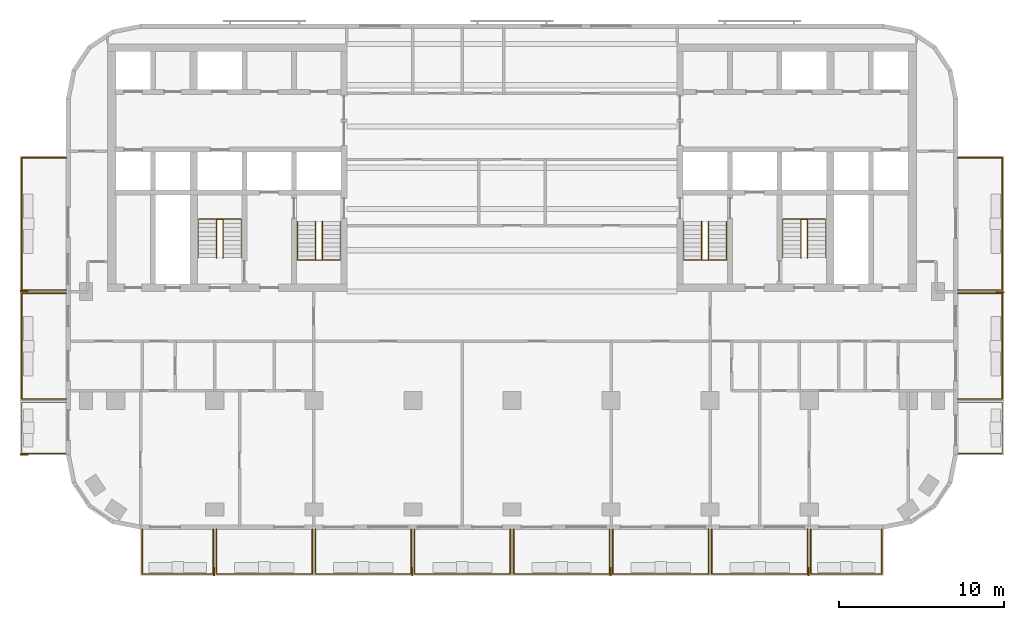
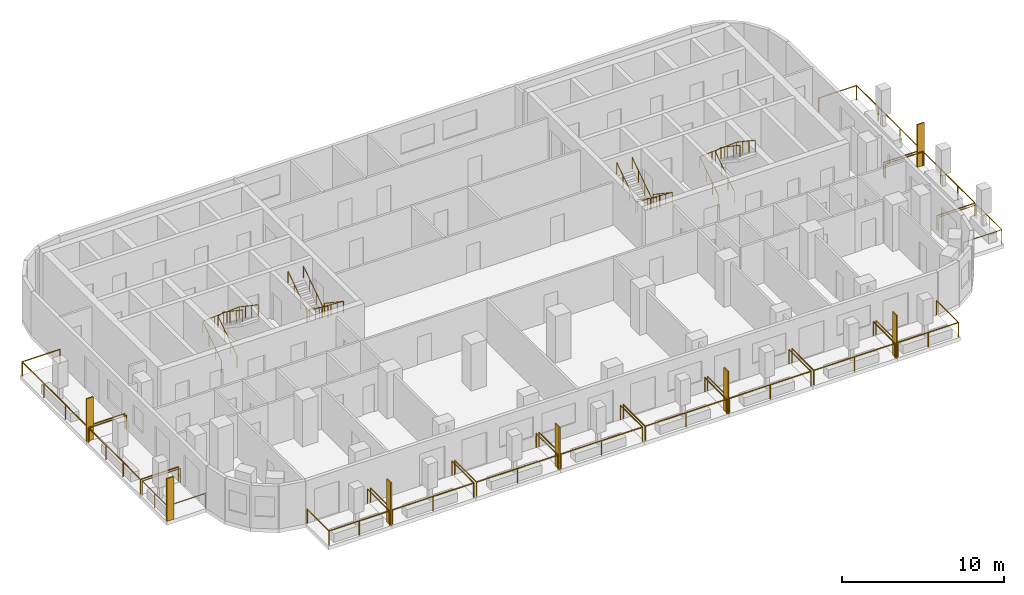
# One storey, part 9 of 11: 22 railings, 7 shading devices.
"""IFC4 building model written with IfcOpenShell, lengths in metres."""

from ifc_helpers import new_model, si_unit, direction, frame, origin, origin_2d, place, context, subcontext, project, spatial, rectangle, circle, extrude, material, layer, layer_set, type_object, element, save


model = new_model("IFC4")

# Units and contexts
model_context = context("Model", 3, precision=1e-05, world=origin(), true_north=direction((0.0, 1.0)))
body_context = subcontext(model_context, "Body", "Model", "MODEL_VIEW")
ifc_project = project(units=[si_unit("LENGTHUNIT", "METRE"), si_unit("AREAUNIT", "SQUARE_METRE"), si_unit("VOLUMEUNIT", "CUBIC_METRE"), si_unit("PLANEANGLEUNIT", "RADIAN"), si_unit("MASSUNIT", "GRAM", prefix="KILO")], contexts=[model_context])

# Site, building, storey
site_placement = place(None, origin())
site = spatial("IfcSite", under=ifc_project, at=site_placement, CompositionType="ELEMENT")
building_placement = place(site_placement, origin())
building = spatial("IfcBuilding", under=site, at=building_placement, Name="Torana Hotel and Residences", CompositionType="ELEMENT")
storey_placement = place(building_placement, frame((0.0, 0.0, 232.60009765625)))
storey = spatial("IfcBuildingStorey", under=building, at=storey_placement, Name="L61", CompositionType="ELEMENT", Elevation=232.60009765625)

# Shading devices
ifc_material_1 = material(Name="Black powder coated aluminium", Category="aluminium")
ifc_layer = layer(ifc_material_1, 0.080078125)
ifc_layer_set = layer_set([ifc_layer], Name="FN1 VERTICAL FIN 500x80")
shading_device_type = type_object("IfcShadingDeviceType", Name="FN1 VERTICAL FIN 500x80", PredefinedType="USERDEFINED", material=ifc_layer_set)
for number, where, z_axis, x_axis, name in (
    (1, (-18.0400390625, -31.949951171875, 0.0), (0.0, 0.0, 1.0), (-1.0, 0.0, 0.0), "Fin 01"),
    (2, (-6.0400390625, -31.949951171875, 0.0), (0.0, 0.0, 1.0), (-1.0, 0.0, 0.0), "Fin 03"),
    (3, (5.9599609375, -31.949951171875, 0.0), (0.0, 0.0, 1.0), (-1.0, 0.0, 0.0), "Fin 05"),
    (4, (17.9599609375, -31.949951171875, 0.0), (0.0, 0.0, 1.0), (-1.0, 0.0, 0.0), "Fin 07"),
    (5, (-29.550048828125, -24.860107421875, 0.0), (0.0, 0.0, 1.0), (0.0, 1.0, 0.0), "Fin 09"),
    (6, (-29.550048828125, -14.9599609375, 0.0), (0.0, 0.0, 1.0), (0.0, 1.0, 0.0), "Fin 11"),
    (7, (29.550048828125, -15.0400390625, 0.0), (0.0, 0.0, 1.0), (0.0, -1.0, 0.0), "Fin 13"),
):
    element("IfcShadingDevice", number, at=place(storey_placement, frame(where, z_axis=z_axis, x_axis=x_axis)), inside=storey, type_object=shading_device_type, Name=name, ObjectType="FIN", PredefinedType="USERDEFINED", context=body_context, shape_type="SweptSolid", body=[
        extrude(rectangle(XDim=0.080078125, YDim=0.5, at=origin_2d()), origin(), (0.0, 0.0, 1.0), 3.219970703125),
    ])

# Railings
ifc_material_2 = material(Name="Laminated glass balustrade with black handrail", Category="glass")
railing_type_1 = type_object("IfcRailingType", Name="GR1 BALCONY GUARD 1100 GLASS", PredefinedType="GUARDRAIL", material=ifc_material_2)
railing_1_placement = place(storey_placement, frame((-18.10009765625, -29.39990234375, 0.0)))
element("IfcRailing", 8, at=railing_1_placement, inside=storey, type_object=railing_type_1, Name="Balcony guard 01", PredefinedType="GUARDRAIL", context=body_context, shape_type="SweptSolid", body=[
    extrude(circle(Radius=0.02392578125, at=origin_2d()), frame((0.0, 0.0, 1.076171875), z_axis=(0.0, -1.0, 0.0), x_axis=(1.0, 0.0, 0.0)), (0.0, 0.0, 1.0), 2.7001953125),
    extrude(circle(Radius=0.02392578125, at=origin_2d()), frame((0.0, -2.7001953125, 1.076171875), z_axis=(-1.0, 0.0, 0.0), x_axis=(0.0, -1.0, 0.0)), (0.0, 0.0, 1.0), 4.2998046875),
    extrude(circle(Radius=0.02392578125, at=origin_2d()), frame((-4.2998046875, -2.7001953125, 1.076171875), z_axis=(0.0, 1.0, 0.0), x_axis=(-1.0, 0.0, 0.0)), (0.0, 0.0, 1.0), 2.7001953125),
    extrude(circle(Radius=0.02099609375, at=origin_2d()), origin(), (0.0, 0.0, 1.0), 1.052001953125),
    extrude(circle(Radius=0.02099609375, at=origin_2d()), frame((0.0, -2.7001953125, 0.0)), (0.0, 0.0, 1.0), 1.052001953125),
    extrude(circle(Radius=0.02099609375, at=origin_2d()), frame((-2.14990234375, -2.7001953125, 0.0)), (0.0, 0.0, 1.0), 1.052001953125),
    extrude(circle(Radius=0.02099609375, at=origin_2d()), frame((-4.2998046875, -2.7001953125, 0.0)), (0.0, 0.0, 1.0), 1.052001953125),
    extrude(circle(Radius=0.02099609375, at=origin_2d()), frame((-4.2998046875, 0.0, 0.0)), (0.0, 0.0, 1.0), 1.052001953125),
])
for number, where, name in (
    (9, (-12.10009765625, -29.39990234375, 0.0), "Balcony guard 02"),
    (10, (-6.10009765625, -29.39990234375, 0.0), "Balcony guard 03"),
    (11, (-0.10009765625, -29.39990234375, 0.0), "Balcony guard 04"),
    (12, (5.89990234375, -29.39990234375, 0.0), "Balcony guard 05"),
    (13, (11.89990234375, -29.39990234375, 0.0), "Balcony guard 06"),
    (14, (17.89990234375, -29.39990234375, 0.0), "Balcony guard 07"),
):
    element("IfcRailing", number, at=place(storey_placement, frame(where)), inside=storey, type_object=railing_type_1, Name=name, PredefinedType="GUARDRAIL", context=body_context, shape_type="SweptSolid", body=[
        extrude(circle(Radius=0.02392578125, at=origin_2d()), frame((0.0, 0.0, 1.076171875), z_axis=(0.0, -1.0, 0.0), x_axis=(1.0, 0.0, 0.0)), (0.0, 0.0, 1.0), 2.7001953125),
        extrude(circle(Radius=0.02392578125, at=origin_2d()), frame((0.0, -2.7001953125, 1.076171875), z_axis=(-1.0, 0.0, 0.0), x_axis=(0.0, -1.0, 0.0)), (0.0, 0.0, 1.0), 5.7998046875),
        extrude(circle(Radius=0.02392578125, at=origin_2d()), frame((-5.7998046875, -2.7001953125, 1.076171875), z_axis=(0.0, 1.0, 0.0), x_axis=(-1.0, 0.0, 0.0)), (0.0, 0.0, 1.0), 2.7001953125),
        extrude(circle(Radius=0.02099609375, at=origin_2d()), origin(), (0.0, 0.0, 1.0), 1.052001953125),
        extrude(circle(Radius=0.02099609375, at=origin_2d()), frame((0.0, -2.7001953125, 0.0)), (0.0, 0.0, 1.0), 1.052001953125),
        extrude(circle(Radius=0.02099609375, at=origin_2d()), frame((-2.89990234375, -2.7001953125, 0.0)), (0.0, 0.0, 1.0), 1.052001953125),
        extrude(circle(Radius=0.02099609375, at=origin_2d()), frame((-5.7998046875, -2.7001953125, 0.0)), (0.0, 0.0, 1.0), 1.052001953125),
        extrude(circle(Radius=0.02099609375, at=origin_2d()), frame((-5.7998046875, 0.0, 0.0)), (0.0, 0.0, 1.0), 1.052001953125),
    ])
railing_2_placement = place(storey_placement, frame((22.39990234375, -29.39990234375, 0.0)))
element("IfcRailing", 15, at=railing_2_placement, inside=storey, type_object=railing_type_1, Name="Balcony guard 08", PredefinedType="GUARDRAIL", context=body_context, shape_type="SweptSolid", body=[
    extrude(circle(Radius=0.02392578125, at=origin_2d()), frame((0.0, 0.0, 1.076171875), z_axis=(0.0, -1.0, 0.0), x_axis=(1.0, 0.0, 0.0)), (0.0, 0.0, 1.0), 2.7001953125),
    extrude(circle(Radius=0.02392578125, at=origin_2d()), frame((0.0, -2.7001953125, 1.076171875), z_axis=(-1.0, 0.0, 0.0), x_axis=(0.0, -1.0, 0.0)), (0.0, 0.0, 1.0), 4.2998046875),
    extrude(circle(Radius=0.02392578125, at=origin_2d()), frame((-4.2998046875, -2.7001953125, 1.076171875), z_axis=(0.0, 1.0, 0.0), x_axis=(-1.0, 0.0, 0.0)), (0.0, 0.0, 1.0), 2.7001953125),
    extrude(circle(Radius=0.02099609375, at=origin_2d()), origin(), (0.0, 0.0, 1.0), 1.052001953125),
    extrude(circle(Radius=0.02099609375, at=origin_2d()), frame((0.0, -2.7001953125, 0.0)), (0.0, 0.0, 1.0), 1.052001953125),
    extrude(circle(Radius=0.02099609375, at=origin_2d()), frame((-2.14990234375, -2.7001953125, 0.0)), (0.0, 0.0, 1.0), 1.052001953125),
    extrude(circle(Radius=0.02099609375, at=origin_2d()), frame((-4.2998046875, -2.7001953125, 0.0)), (0.0, 0.0, 1.0), 1.052001953125),
    extrude(circle(Radius=0.02099609375, at=origin_2d()), frame((-4.2998046875, 0.0, 0.0)), (0.0, 0.0, 1.0), 1.052001953125),
])
railing_3_placement = place(storey_placement, frame((-27.0, -24.800048828125, 0.0)))
element("IfcRailing", 16, at=railing_3_placement, inside=storey, type_object=railing_type_1, Name="Balcony guard 09", PredefinedType="GUARDRAIL", context=body_context, shape_type="SweptSolid", body=[
    extrude(circle(Radius=0.02392578125, at=origin_2d()), frame((0.0, 0.0, 1.076171875), z_axis=(-1.0, 0.0, 0.0), x_axis=(0.0, -1.0, 0.0)), (0.0, 0.0, 1.0), 2.699951171875),
    extrude(circle(Radius=0.02392578125, at=origin_2d()), frame((-2.699951171875, 0.0, 1.076171875), z_axis=(0.0, 1.0, 0.0), x_axis=(-1.0, 0.0, 0.0)), (0.0, 0.0, 1.0), 3.10009765625),
    extrude(circle(Radius=0.02392578125, at=origin_2d()), frame((-2.699951171875, 3.10009765625, 1.076171875), z_axis=(1.0, 0.0, 0.0), x_axis=(0.0, 1.0, 0.0)), (0.0, 0.0, 1.0), 2.699951171875),
    extrude(circle(Radius=0.02099609375, at=origin_2d()), origin(), (0.0, 0.0, 1.0), 1.052001953125),
    extrude(circle(Radius=0.02099609375, at=origin_2d()), frame((-2.699951171875, 0.0, 0.0)), (0.0, 0.0, 1.0), 1.052001953125),
    extrude(circle(Radius=0.02099609375, at=origin_2d()), frame((-2.699951171875, 1.550048828125, 0.0)), (0.0, 0.0, 1.0), 1.052001953125),
    extrude(circle(Radius=0.02099609375, at=origin_2d()), frame((-2.699951171875, 3.10009765625, 0.0)), (0.0, 0.0, 1.0), 1.052001953125),
    extrude(circle(Radius=0.02099609375, at=origin_2d()), frame((0.0, 3.10009765625, 0.0)), (0.0, 0.0, 1.0), 1.052001953125),
])
railing_4_placement = place(storey_placement, frame((-27.0, -21.5, 0.0)))
element("IfcRailing", 17, at=railing_4_placement, inside=storey, type_object=railing_type_1, Name="Balcony guard 10", PredefinedType="GUARDRAIL", context=body_context, shape_type="SweptSolid", body=[
    extrude(circle(Radius=0.02392578125, at=origin_2d()), frame((0.0, 0.0, 1.076171875), z_axis=(-1.0, 0.0, 0.0), x_axis=(0.0, -1.0, 0.0)), (0.0, 0.0, 1.0), 2.699951171875),
    extrude(circle(Radius=0.02392578125, at=origin_2d()), frame((-2.699951171875, 0.0, 1.076171875), z_axis=(0.0, 1.0, 0.0), x_axis=(-1.0, 0.0, 0.0)), (0.0, 0.0, 1.0), 6.39990234375),
    extrude(circle(Radius=0.02392578125, at=origin_2d()), frame((-2.699951171875, 6.39990234375, 1.076171875), z_axis=(1.0, 0.0, 0.0), x_axis=(0.0, 1.0, 0.0)), (0.0, 0.0, 1.0), 2.699951171875),
    extrude(circle(Radius=0.02099609375, at=origin_2d()), origin(), (0.0, 0.0, 1.0), 1.052001953125),
    extrude(circle(Radius=0.02099609375, at=origin_2d()), frame((-2.699951171875, 0.0, 0.0)), (0.0, 0.0, 1.0), 1.052001953125),
    extrude(circle(Radius=0.02099609375, at=origin_2d()), frame((-2.699951171875, 2.13330078125, 0.0)), (0.0, 0.0, 1.0), 1.052001953125),
    extrude(circle(Radius=0.02099609375, at=origin_2d()), frame((-2.699951171875, 4.2666015625, 0.0)), (0.0, 0.0, 1.0), 1.052001953125),
    extrude(circle(Radius=0.02099609375, at=origin_2d()), frame((-2.699951171875, 6.39990234375, 0.0)), (0.0, 0.0, 1.0), 1.052001953125),
    extrude(circle(Radius=0.02099609375, at=origin_2d()), frame((0.0, 6.39990234375, 0.0)), (0.0, 0.0, 1.0), 1.052001953125),
])
railing_5_placement = place(storey_placement, frame((-27.0, -14.89990234375, 0.0)))
element("IfcRailing", 18, at=railing_5_placement, inside=storey, type_object=railing_type_1, Name="Balcony guard 11", PredefinedType="GUARDRAIL", context=body_context, shape_type="SweptSolid", body=[
    extrude(circle(Radius=0.02392578125, at=origin_2d()), frame((0.0, 0.0, 1.076171875), z_axis=(-1.0, 0.0, 0.0), x_axis=(0.0, -1.0, 0.0)), (0.0, 0.0, 1.0), 2.699951171875),
    extrude(circle(Radius=0.02392578125, at=origin_2d()), frame((-2.699951171875, 0.0, 1.076171875), z_axis=(0.0, 1.0, 0.0), x_axis=(-1.0, 0.0, 0.0)), (0.0, 0.0, 1.0), 8.0),
    extrude(circle(Radius=0.02392578125, at=origin_2d()), frame((-2.699951171875, 8.0, 1.076171875), z_axis=(1.0, 0.0, 0.0), x_axis=(0.0, 1.0, 0.0)), (0.0, 0.0, 1.0), 2.699951171875),
    extrude(circle(Radius=0.02099609375, at=origin_2d()), origin(), (0.0, 0.0, 1.0), 1.052001953125),
    extrude(circle(Radius=0.02099609375, at=origin_2d()), frame((-2.699951171875, 0.0, 0.0)), (0.0, 0.0, 1.0), 1.052001953125),
    extrude(circle(Radius=0.02099609375, at=origin_2d()), frame((-2.699951171875, 2.666748046875, 0.0)), (0.0, 0.0, 1.0), 1.052001953125),
    extrude(circle(Radius=0.02099609375, at=origin_2d()), frame((-2.699951171875, 5.333251953125, 0.0)), (0.0, 0.0, 1.0), 1.052001953125),
    extrude(circle(Radius=0.02099609375, at=origin_2d()), frame((-2.699951171875, 8.0, 0.0)), (0.0, 0.0, 1.0), 1.052001953125),
    extrude(circle(Radius=0.02099609375, at=origin_2d()), frame((0.0, 8.0, 0.0)), (0.0, 0.0, 1.0), 1.052001953125),
])
railing_6_placement = place(storey_placement, frame((27.0, -21.699951171875, 0.0)))
element("IfcRailing", 19, at=railing_6_placement, inside=storey, type_object=railing_type_1, Name="Balcony guard 12", PredefinedType="GUARDRAIL", context=body_context, shape_type="SweptSolid", body=[
    extrude(circle(Radius=0.02392578125, at=origin_2d()), frame((0.0, 0.0, 1.076171875), z_axis=(1.0, 0.0, 0.0), x_axis=(0.0, 1.0, 0.0)), (0.0, 0.0, 1.0), 2.699951171875),
    extrude(circle(Radius=0.02392578125, at=origin_2d()), frame((2.699951171875, 0.0, 1.076171875), z_axis=(0.0, -1.0, 0.0), x_axis=(1.0, 0.0, 0.0)), (0.0, 0.0, 1.0), 3.10009765625),
    extrude(circle(Radius=0.02392578125, at=origin_2d()), frame((2.699951171875, -3.10009765625, 1.076171875), z_axis=(-1.0, 0.0, 0.0), x_axis=(0.0, -1.0, 0.0)), (0.0, 0.0, 1.0), 2.699951171875),
    extrude(circle(Radius=0.02099609375, at=origin_2d()), origin(), (0.0, 0.0, 1.0), 1.052001953125),
    extrude(circle(Radius=0.02099609375, at=origin_2d()), frame((2.699951171875, 0.0, 0.0)), (0.0, 0.0, 1.0), 1.052001953125),
    extrude(circle(Radius=0.02099609375, at=origin_2d()), frame((2.699951171875, -1.550048828125, 0.0)), (0.0, 0.0, 1.0), 1.052001953125),
    extrude(circle(Radius=0.02099609375, at=origin_2d()), frame((2.699951171875, -3.10009765625, 0.0)), (0.0, 0.0, 1.0), 1.052001953125),
    extrude(circle(Radius=0.02099609375, at=origin_2d()), frame((0.0, -3.10009765625, 0.0)), (0.0, 0.0, 1.0), 1.052001953125),
])
railing_7_placement = place(storey_placement, frame((27.0, -15.10009765625, 0.0)))
element("IfcRailing", 20, at=railing_7_placement, inside=storey, type_object=railing_type_1, Name="Balcony guard 13", PredefinedType="GUARDRAIL", context=body_context, shape_type="SweptSolid", body=[
    extrude(circle(Radius=0.02392578125, at=origin_2d()), frame((0.0, 0.0, 1.076171875), z_axis=(1.0, 0.0, 0.0), x_axis=(0.0, 1.0, 0.0)), (0.0, 0.0, 1.0), 2.699951171875),
    extrude(circle(Radius=0.02392578125, at=origin_2d()), frame((2.699951171875, 0.0, 1.076171875), z_axis=(0.0, -1.0, 0.0), x_axis=(1.0, 0.0, 0.0)), (0.0, 0.0, 1.0), 6.39990234375),
    extrude(circle(Radius=0.02392578125, at=origin_2d()), frame((2.699951171875, -6.39990234375, 1.076171875), z_axis=(-1.0, 0.0, 0.0), x_axis=(0.0, -1.0, 0.0)), (0.0, 0.0, 1.0), 2.699951171875),
    extrude(circle(Radius=0.02099609375, at=origin_2d()), origin(), (0.0, 0.0, 1.0), 1.052001953125),
    extrude(circle(Radius=0.02099609375, at=origin_2d()), frame((2.699951171875, 0.0, 0.0)), (0.0, 0.0, 1.0), 1.052001953125),
    extrude(circle(Radius=0.02099609375, at=origin_2d()), frame((2.699951171875, -2.13330078125, 0.0)), (0.0, 0.0, 1.0), 1.052001953125),
    extrude(circle(Radius=0.02099609375, at=origin_2d()), frame((2.699951171875, -4.2666015625, 0.0)), (0.0, 0.0, 1.0), 1.052001953125),
    extrude(circle(Radius=0.02099609375, at=origin_2d()), frame((2.699951171875, -6.39990234375, 0.0)), (0.0, 0.0, 1.0), 1.052001953125),
    extrude(circle(Radius=0.02099609375, at=origin_2d()), frame((0.0, -6.39990234375, 0.0)), (0.0, 0.0, 1.0), 1.052001953125),
])
railing_8_placement = place(storey_placement, frame((27.0, -6.89990234375, 0.0)))
element("IfcRailing", 21, at=railing_8_placement, inside=storey, type_object=railing_type_1, Name="Balcony guard 14", PredefinedType="GUARDRAIL", context=body_context, shape_type="SweptSolid", body=[
    extrude(circle(Radius=0.02392578125, at=origin_2d()), frame((0.0, 0.0, 1.076171875), z_axis=(1.0, 0.0, 0.0), x_axis=(0.0, 1.0, 0.0)), (0.0, 0.0, 1.0), 2.699951171875),
    extrude(circle(Radius=0.02392578125, at=origin_2d()), frame((2.699951171875, 0.0, 1.076171875), z_axis=(0.0, -1.0, 0.0), x_axis=(1.0, 0.0, 0.0)), (0.0, 0.0, 1.0), 8.0),
    extrude(circle(Radius=0.02392578125, at=origin_2d()), frame((2.699951171875, -8.0, 1.076171875), z_axis=(-1.0, 0.0, 0.0), x_axis=(0.0, -1.0, 0.0)), (0.0, 0.0, 1.0), 2.699951171875),
    extrude(circle(Radius=0.02099609375, at=origin_2d()), origin(), (0.0, 0.0, 1.0), 1.052001953125),
    extrude(circle(Radius=0.02099609375, at=origin_2d()), frame((2.699951171875, 0.0, 0.0)), (0.0, 0.0, 1.0), 1.052001953125),
    extrude(circle(Radius=0.02099609375, at=origin_2d()), frame((2.699951171875, -2.666748046875, 0.0)), (0.0, 0.0, 1.0), 1.052001953125),
    extrude(circle(Radius=0.02099609375, at=origin_2d()), frame((2.699951171875, -5.333251953125, 0.0)), (0.0, 0.0, 1.0), 1.052001953125),
    extrude(circle(Radius=0.02099609375, at=origin_2d()), frame((2.699951171875, -8.0, 0.0)), (0.0, 0.0, 1.0), 1.052001953125),
    extrude(circle(Radius=0.02099609375, at=origin_2d()), frame((0.0, -8.0, 0.0)), (0.0, 0.0, 1.0), 1.052001953125),
])
ifc_material_3 = material(Name="Stainless steel 316", Category="steel")
railing_type_2 = type_object("IfcRailingType", Name="STAIR HANDRAIL HR1 900", PredefinedType="HANDRAIL", material=ifc_material_3)
railing_9_placement = place(storey_placement, frame((-10.39990234375, -10.75, 0.1748046875)))
element("IfcRailing", 22, at=railing_9_placement, inside=storey, type_object=railing_type_2, Name="Handrail ST1 L61 O1", PredefinedType="HANDRAIL", context=body_context, shape_type="SweptSolid", body=[
    extrude(circle(Radius=0.02392578125, at=origin_2d()), frame((0.0, 0.0, 0.8759765625), z_axis=(0.0, -0.829565388462, 0.558409586474), x_axis=(1.0, 0.0, 0.0)), (0.0, 0.0, 1.0), 2.82080078125),
    extrude(circle(Radius=0.02392578125, at=origin_2d()), frame((0.0, -2.340087890625, 2.451171875), z_axis=(-0.997747692642, 0.0, 0.067078624219), x_axis=(0.0, -1.0, 0.0)), (0.0, 0.0, 1.0), 2.60595703125),
    extrude(circle(Radius=0.02392578125, at=origin_2d()), frame((-2.60009765625, -2.340087890625, 2.6259765625), z_axis=(0.0, 0.829565388462, 0.558409586474), x_axis=(-1.0, 0.0, 0.0)), (0.0, 0.0, 1.0), 2.82080078125),
    extrude(circle(Radius=0.02099609375, at=origin_2d()), origin(), (0.0, 0.0, 1.0), 0.851806640625),
    extrude(circle(Radius=0.02099609375, at=origin_2d()), frame((0.0, -0.780029296875, 0.525146484375)), (0.0, 0.0, 1.0), 0.851806640625),
    extrude(circle(Radius=0.02099609375, at=origin_2d()), frame((0.0, -1.56005859375, 1.050048828125)), (0.0, 0.0, 1.0), 0.851806640625),
    extrude(circle(Radius=0.02099609375, at=origin_2d()), frame((0.0, -2.340087890625, 1.5751953125)), (0.0, 0.0, 1.0), 0.851806640625),
    extrude(circle(Radius=0.02099609375, at=origin_2d()), frame((-0.86669921875, -2.340087890625, 1.633544921875)), (0.0, 0.0, 1.0), 0.851806640625),
    extrude(circle(Radius=0.02099609375, at=origin_2d()), frame((-1.7333984375, -2.340087890625, 1.691650390625)), (0.0, 0.0, 1.0), 0.851806640625),
    extrude(circle(Radius=0.02099609375, at=origin_2d()), frame((-2.60009765625, -2.340087890625, 1.75)), (0.0, 0.0, 1.0), 0.851806640625),
    extrude(circle(Radius=0.02099609375, at=origin_2d()), frame((-2.60009765625, -1.56005859375, 2.275146484375)), (0.0, 0.0, 1.0), 0.851806640625),
    extrude(circle(Radius=0.02099609375, at=origin_2d()), frame((-2.60009765625, -0.780029296875, 2.800048828125)), (0.0, 0.0, 1.0), 0.851806640625),
    extrude(circle(Radius=0.02099609375, at=origin_2d()), frame((-2.60009765625, 0.0, 3.3251953125)), (0.0, 0.0, 1.0), 0.851806640625),
])
railing_10_placement = place(storey_placement, frame((-11.5, -10.75, 0.1748046875)))
element("IfcRailing", 23, at=railing_10_placement, inside=storey, type_object=railing_type_2, Name="Handrail ST1 L61 I1", PredefinedType="HANDRAIL", context=body_context, shape_type="SweptSolid", body=[
    extrude(circle(Radius=0.02392578125, at=origin_2d()), frame((0.0, 0.0, 0.8759765625), z_axis=(0.0, -0.829565388462, 0.558409586474), x_axis=(1.0, 0.0, 0.0)), (0.0, 0.0, 1.0), 2.82080078125),
    extrude(circle(Radius=0.02392578125, at=origin_2d()), frame((0.0, -2.340087890625, 2.451171875), z_axis=(-0.916285673175, 0.0, 0.400525361412), x_axis=(0.0, -1.0, 0.0)), (0.0, 0.0, 1.0), 0.4365234375),
    extrude(circle(Radius=0.02392578125, at=origin_2d()), frame((-0.39990234375, -2.340087890625, 2.6259765625), z_axis=(0.0, 0.829565388462, 0.558409586474), x_axis=(-1.0, 0.0, 0.0)), (0.0, 0.0, 1.0), 2.82080078125),
    extrude(circle(Radius=0.02099609375, at=origin_2d()), origin(), (0.0, 0.0, 1.0), 0.851806640625),
    extrude(circle(Radius=0.02099609375, at=origin_2d()), frame((0.0, -0.780029296875, 0.525146484375)), (0.0, 0.0, 1.0), 0.851806640625),
    extrude(circle(Radius=0.02099609375, at=origin_2d()), frame((0.0, -1.56005859375, 1.050048828125)), (0.0, 0.0, 1.0), 0.851806640625),
    extrude(circle(Radius=0.02099609375, at=origin_2d()), frame((0.0, -2.340087890625, 1.5751953125)), (0.0, 0.0, 1.0), 0.851806640625),
    extrude(circle(Radius=0.02099609375, at=origin_2d()), frame((-0.39990234375, -2.340087890625, 1.75)), (0.0, 0.0, 1.0), 0.851806640625),
    extrude(circle(Radius=0.02099609375, at=origin_2d()), frame((-0.39990234375, -1.56005859375, 2.275146484375)), (0.0, 0.0, 1.0), 0.851806640625),
    extrude(circle(Radius=0.02099609375, at=origin_2d()), frame((-0.39990234375, -0.780029296875, 2.800048828125)), (0.0, 0.0, 1.0), 0.851806640625),
    extrude(circle(Radius=0.02099609375, at=origin_2d()), frame((-0.39990234375, 0.0, 3.3251953125)), (0.0, 0.0, 1.0), 0.851806640625),
])
railing_11_placement = place(storey_placement, frame((-19.0, -12.949951171875, 0.1748046875)))
element("IfcRailing", 24, at=railing_11_placement, inside=storey, type_object=railing_type_2, Name="Handrail ST2 L61 O1", PredefinedType="HANDRAIL", context=body_context, shape_type="SweptSolid", body=[
    extrude(circle(Radius=0.02392578125, at=origin_2d()), frame((0.0, 0.0, 0.8759765625), z_axis=(0.0, 0.829538397957, 0.558449681095), x_axis=(-1.0, 0.0, 0.0)), (0.0, 0.0, 1.0), 2.820556640625),
    extrude(circle(Radius=0.02392578125, at=origin_2d()), frame((0.0, 2.33984375, 2.451171875), z_axis=(0.997747692642, 0.0, 0.067078624219), x_axis=(0.0, 1.0, 0.0)), (0.0, 0.0, 1.0), 2.60595703125),
    extrude(circle(Radius=0.02392578125, at=origin_2d()), frame((2.60009765625, 2.33984375, 2.6259765625), z_axis=(0.0, -0.829538397957, 0.558449681095), x_axis=(1.0, 0.0, 0.0)), (0.0, 0.0, 1.0), 2.820556640625),
    extrude(circle(Radius=0.02099609375, at=origin_2d()), origin(), (0.0, 0.0, 1.0), 0.851806640625),
    extrude(circle(Radius=0.02099609375, at=origin_2d()), frame((0.0, 0.780029296875, 0.525146484375)), (0.0, 0.0, 1.0), 0.851806640625),
    extrude(circle(Radius=0.02099609375, at=origin_2d()), frame((0.0, 1.559814453125, 1.050048828125)), (0.0, 0.0, 1.0), 0.851806640625),
    extrude(circle(Radius=0.02099609375, at=origin_2d()), frame((0.0, 2.33984375, 1.5751953125)), (0.0, 0.0, 1.0), 0.851806640625),
    extrude(circle(Radius=0.02099609375, at=origin_2d()), frame((0.86669921875, 2.33984375, 1.633544921875)), (0.0, 0.0, 1.0), 0.851806640625),
    extrude(circle(Radius=0.02099609375, at=origin_2d()), frame((1.7333984375, 2.33984375, 1.691650390625)), (0.0, 0.0, 1.0), 0.851806640625),
    extrude(circle(Radius=0.02099609375, at=origin_2d()), frame((2.60009765625, 2.33984375, 1.75)), (0.0, 0.0, 1.0), 0.851806640625),
    extrude(circle(Radius=0.02099609375, at=origin_2d()), frame((2.60009765625, 1.559814453125, 2.275146484375)), (0.0, 0.0, 1.0), 0.851806640625),
    extrude(circle(Radius=0.02099609375, at=origin_2d()), frame((2.60009765625, 0.780029296875, 2.800048828125)), (0.0, 0.0, 1.0), 0.851806640625),
    extrude(circle(Radius=0.02099609375, at=origin_2d()), frame((2.60009765625, 0.0, 3.3251953125)), (0.0, 0.0, 1.0), 0.851806640625),
])
railing_12_placement = place(storey_placement, frame((-17.89990234375, -12.949951171875, 0.1748046875)))
element("IfcRailing", 25, at=railing_12_placement, inside=storey, type_object=railing_type_2, Name="Handrail ST2 L61 I1", PredefinedType="HANDRAIL", context=body_context, shape_type="SweptSolid", body=[
    extrude(circle(Radius=0.02392578125, at=origin_2d()), frame((0.0, 0.0, 0.8759765625), z_axis=(0.0, 0.829538397957, 0.558449681095), x_axis=(-1.0, 0.0, 0.0)), (0.0, 0.0, 1.0), 2.820556640625),
    extrude(circle(Radius=0.02392578125, at=origin_2d()), frame((0.0, 2.33984375, 2.451171875), z_axis=(0.916285673175, 0.0, 0.400525361412), x_axis=(0.0, 1.0, 0.0)), (0.0, 0.0, 1.0), 0.4365234375),
    extrude(circle(Radius=0.02392578125, at=origin_2d()), frame((0.39990234375, 2.33984375, 2.6259765625), z_axis=(0.0, -0.829538397957, 0.558449681095), x_axis=(1.0, 0.0, 0.0)), (0.0, 0.0, 1.0), 2.820556640625),
    extrude(circle(Radius=0.02099609375, at=origin_2d()), origin(), (0.0, 0.0, 1.0), 0.851806640625),
    extrude(circle(Radius=0.02099609375, at=origin_2d()), frame((0.0, 0.780029296875, 0.525146484375)), (0.0, 0.0, 1.0), 0.851806640625),
    extrude(circle(Radius=0.02099609375, at=origin_2d()), frame((0.0, 1.559814453125, 1.050048828125)), (0.0, 0.0, 1.0), 0.851806640625),
    extrude(circle(Radius=0.02099609375, at=origin_2d()), frame((0.0, 2.33984375, 1.5751953125)), (0.0, 0.0, 1.0), 0.851806640625),
    extrude(circle(Radius=0.02099609375, at=origin_2d()), frame((0.39990234375, 2.33984375, 1.75)), (0.0, 0.0, 1.0), 0.851806640625),
    extrude(circle(Radius=0.02099609375, at=origin_2d()), frame((0.39990234375, 1.559814453125, 2.275146484375)), (0.0, 0.0, 1.0), 0.851806640625),
    extrude(circle(Radius=0.02099609375, at=origin_2d()), frame((0.39990234375, 0.780029296875, 2.800048828125)), (0.0, 0.0, 1.0), 0.851806640625),
    extrude(circle(Radius=0.02099609375, at=origin_2d()), frame((0.39990234375, 0.0, 3.3251953125)), (0.0, 0.0, 1.0), 0.851806640625),
])
railing_13_placement = place(storey_placement, frame((13.0, -10.75, 0.1748046875)))
element("IfcRailing", 26, at=railing_13_placement, inside=storey, type_object=railing_type_2, Name="Handrail ST3 L61 O1", PredefinedType="HANDRAIL", context=body_context, shape_type="SweptSolid", body=[
    extrude(circle(Radius=0.02392578125, at=origin_2d()), frame((0.0, 0.0, 0.8759765625), z_axis=(0.0, -0.829565388462, 0.558409586474), x_axis=(1.0, 0.0, 0.0)), (0.0, 0.0, 1.0), 2.82080078125),
    extrude(circle(Radius=0.02392578125, at=origin_2d()), frame((0.0, -2.340087890625, 2.451171875), z_axis=(-0.997747692642, 0.0, 0.067078624219), x_axis=(0.0, -1.0, 0.0)), (0.0, 0.0, 1.0), 2.60595703125),
    extrude(circle(Radius=0.02392578125, at=origin_2d()), frame((-2.60009765625, -2.340087890625, 2.6259765625), z_axis=(0.0, 0.829565388462, 0.558409586474), x_axis=(-1.0, 0.0, 0.0)), (0.0, 0.0, 1.0), 2.82080078125),
    extrude(circle(Radius=0.02099609375, at=origin_2d()), origin(), (0.0, 0.0, 1.0), 0.851806640625),
    extrude(circle(Radius=0.02099609375, at=origin_2d()), frame((0.0, -0.780029296875, 0.525146484375)), (0.0, 0.0, 1.0), 0.851806640625),
    extrude(circle(Radius=0.02099609375, at=origin_2d()), frame((0.0, -1.56005859375, 1.050048828125)), (0.0, 0.0, 1.0), 0.851806640625),
    extrude(circle(Radius=0.02099609375, at=origin_2d()), frame((0.0, -2.340087890625, 1.5751953125)), (0.0, 0.0, 1.0), 0.851806640625),
    extrude(circle(Radius=0.02099609375, at=origin_2d()), frame((-0.86669921875, -2.340087890625, 1.633544921875)), (0.0, 0.0, 1.0), 0.851806640625),
    extrude(circle(Radius=0.02099609375, at=origin_2d()), frame((-1.7333984375, -2.340087890625, 1.691650390625)), (0.0, 0.0, 1.0), 0.851806640625),
    extrude(circle(Radius=0.02099609375, at=origin_2d()), frame((-2.60009765625, -2.340087890625, 1.75)), (0.0, 0.0, 1.0), 0.851806640625),
    extrude(circle(Radius=0.02099609375, at=origin_2d()), frame((-2.60009765625, -1.56005859375, 2.275146484375)), (0.0, 0.0, 1.0), 0.851806640625),
    extrude(circle(Radius=0.02099609375, at=origin_2d()), frame((-2.60009765625, -0.780029296875, 2.800048828125)), (0.0, 0.0, 1.0), 0.851806640625),
    extrude(circle(Radius=0.02099609375, at=origin_2d()), frame((-2.60009765625, 0.0, 3.3251953125)), (0.0, 0.0, 1.0), 0.851806640625),
])
railing_14_placement = place(storey_placement, frame((11.89990234375, -10.75, 0.1748046875)))
element("IfcRailing", 27, at=railing_14_placement, inside=storey, type_object=railing_type_2, Name="Handrail ST3 L61 I1", PredefinedType="HANDRAIL", context=body_context, shape_type="SweptSolid", body=[
    extrude(circle(Radius=0.02392578125, at=origin_2d()), frame((0.0, 0.0, 0.8759765625), z_axis=(0.0, -0.829565388462, 0.558409586474), x_axis=(1.0, 0.0, 0.0)), (0.0, 0.0, 1.0), 2.82080078125),
    extrude(circle(Radius=0.02392578125, at=origin_2d()), frame((0.0, -2.340087890625, 2.451171875), z_axis=(-0.916285673175, 0.0, 0.400525361412), x_axis=(0.0, -1.0, 0.0)), (0.0, 0.0, 1.0), 0.4365234375),
    extrude(circle(Radius=0.02392578125, at=origin_2d()), frame((-0.39990234375, -2.340087890625, 2.6259765625), z_axis=(0.0, 0.829565388462, 0.558409586474), x_axis=(-1.0, 0.0, 0.0)), (0.0, 0.0, 1.0), 2.82080078125),
    extrude(circle(Radius=0.02099609375, at=origin_2d()), origin(), (0.0, 0.0, 1.0), 0.851806640625),
    extrude(circle(Radius=0.02099609375, at=origin_2d()), frame((0.0, -0.780029296875, 0.525146484375)), (0.0, 0.0, 1.0), 0.851806640625),
    extrude(circle(Radius=0.02099609375, at=origin_2d()), frame((0.0, -1.56005859375, 1.050048828125)), (0.0, 0.0, 1.0), 0.851806640625),
    extrude(circle(Radius=0.02099609375, at=origin_2d()), frame((0.0, -2.340087890625, 1.5751953125)), (0.0, 0.0, 1.0), 0.851806640625),
    extrude(circle(Radius=0.02099609375, at=origin_2d()), frame((-0.39990234375, -2.340087890625, 1.75)), (0.0, 0.0, 1.0), 0.851806640625),
    extrude(circle(Radius=0.02099609375, at=origin_2d()), frame((-0.39990234375, -1.56005859375, 2.275146484375)), (0.0, 0.0, 1.0), 0.851806640625),
    extrude(circle(Radius=0.02099609375, at=origin_2d()), frame((-0.39990234375, -0.780029296875, 2.800048828125)), (0.0, 0.0, 1.0), 0.851806640625),
    extrude(circle(Radius=0.02099609375, at=origin_2d()), frame((-0.39990234375, 0.0, 3.3251953125)), (0.0, 0.0, 1.0), 0.851806640625),
])
railing_15_placement = place(storey_placement, frame((16.39990234375, -12.949951171875, 0.1748046875)))
element("IfcRailing", 28, at=railing_15_placement, inside=storey, type_object=railing_type_2, Name="Handrail ST4 L61 O1", PredefinedType="HANDRAIL", context=body_context, shape_type="SweptSolid", body=[
    extrude(circle(Radius=0.02392578125, at=origin_2d()), frame((0.0, 0.0, 0.8759765625), z_axis=(0.0, 0.829538397957, 0.558449681095), x_axis=(-1.0, 0.0, 0.0)), (0.0, 0.0, 1.0), 2.820556640625),
    extrude(circle(Radius=0.02392578125, at=origin_2d()), frame((0.0, 2.33984375, 2.451171875), z_axis=(0.997747692642, 0.0, 0.067078624219), x_axis=(0.0, 1.0, 0.0)), (0.0, 0.0, 1.0), 2.60595703125),
    extrude(circle(Radius=0.02392578125, at=origin_2d()), frame((2.60009765625, 2.33984375, 2.6259765625), z_axis=(0.0, -0.829538397957, 0.558449681095), x_axis=(1.0, 0.0, 0.0)), (0.0, 0.0, 1.0), 2.820556640625),
    extrude(circle(Radius=0.02099609375, at=origin_2d()), origin(), (0.0, 0.0, 1.0), 0.851806640625),
    extrude(circle(Radius=0.02099609375, at=origin_2d()), frame((0.0, 0.780029296875, 0.525146484375)), (0.0, 0.0, 1.0), 0.851806640625),
    extrude(circle(Radius=0.02099609375, at=origin_2d()), frame((0.0, 1.559814453125, 1.050048828125)), (0.0, 0.0, 1.0), 0.851806640625),
    extrude(circle(Radius=0.02099609375, at=origin_2d()), frame((0.0, 2.33984375, 1.5751953125)), (0.0, 0.0, 1.0), 0.851806640625),
    extrude(circle(Radius=0.02099609375, at=origin_2d()), frame((0.86669921875, 2.33984375, 1.633544921875)), (0.0, 0.0, 1.0), 0.851806640625),
    extrude(circle(Radius=0.02099609375, at=origin_2d()), frame((1.7333984375, 2.33984375, 1.691650390625)), (0.0, 0.0, 1.0), 0.851806640625),
    extrude(circle(Radius=0.02099609375, at=origin_2d()), frame((2.60009765625, 2.33984375, 1.75)), (0.0, 0.0, 1.0), 0.851806640625),
    extrude(circle(Radius=0.02099609375, at=origin_2d()), frame((2.60009765625, 1.559814453125, 2.275146484375)), (0.0, 0.0, 1.0), 0.851806640625),
    extrude(circle(Radius=0.02099609375, at=origin_2d()), frame((2.60009765625, 0.780029296875, 2.800048828125)), (0.0, 0.0, 1.0), 0.851806640625),
    extrude(circle(Radius=0.02099609375, at=origin_2d()), frame((2.60009765625, 0.0, 3.3251953125)), (0.0, 0.0, 1.0), 0.851806640625),
])
railing_16_placement = place(storey_placement, frame((17.5, -12.949951171875, 0.1748046875)))
element("IfcRailing", 29, at=railing_16_placement, inside=storey, type_object=railing_type_2, Name="Handrail ST4 L61 I1", PredefinedType="HANDRAIL", context=body_context, shape_type="SweptSolid", body=[
    extrude(circle(Radius=0.02392578125, at=origin_2d()), frame((0.0, 0.0, 0.8759765625), z_axis=(0.0, 0.829538397957, 0.558449681095), x_axis=(-1.0, 0.0, 0.0)), (0.0, 0.0, 1.0), 2.820556640625),
    extrude(circle(Radius=0.02392578125, at=origin_2d()), frame((0.0, 2.33984375, 2.451171875), z_axis=(0.916285673175, 0.0, 0.400525361412), x_axis=(0.0, 1.0, 0.0)), (0.0, 0.0, 1.0), 0.4365234375),
    extrude(circle(Radius=0.02392578125, at=origin_2d()), frame((0.39990234375, 2.33984375, 2.6259765625), z_axis=(0.0, -0.829538397957, 0.558449681095), x_axis=(1.0, 0.0, 0.0)), (0.0, 0.0, 1.0), 2.820556640625),
    extrude(circle(Radius=0.02099609375, at=origin_2d()), origin(), (0.0, 0.0, 1.0), 0.851806640625),
    extrude(circle(Radius=0.02099609375, at=origin_2d()), frame((0.0, 0.780029296875, 0.525146484375)), (0.0, 0.0, 1.0), 0.851806640625),
    extrude(circle(Radius=0.02099609375, at=origin_2d()), frame((0.0, 1.559814453125, 1.050048828125)), (0.0, 0.0, 1.0), 0.851806640625),
    extrude(circle(Radius=0.02099609375, at=origin_2d()), frame((0.0, 2.33984375, 1.5751953125)), (0.0, 0.0, 1.0), 0.851806640625),
    extrude(circle(Radius=0.02099609375, at=origin_2d()), frame((0.39990234375, 2.33984375, 1.75)), (0.0, 0.0, 1.0), 0.851806640625),
    extrude(circle(Radius=0.02099609375, at=origin_2d()), frame((0.39990234375, 1.559814453125, 2.275146484375)), (0.0, 0.0, 1.0), 0.851806640625),
    extrude(circle(Radius=0.02099609375, at=origin_2d()), frame((0.39990234375, 0.780029296875, 2.800048828125)), (0.0, 0.0, 1.0), 0.851806640625),
    extrude(circle(Radius=0.02099609375, at=origin_2d()), frame((0.39990234375, 0.0, 3.3251953125)), (0.0, 0.0, 1.0), 0.851806640625),
])

save(model, "model.ifc")
